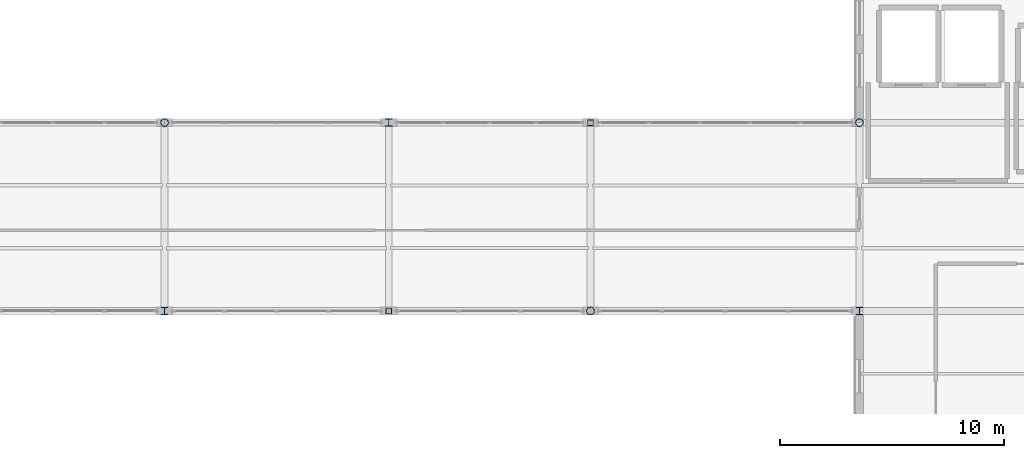
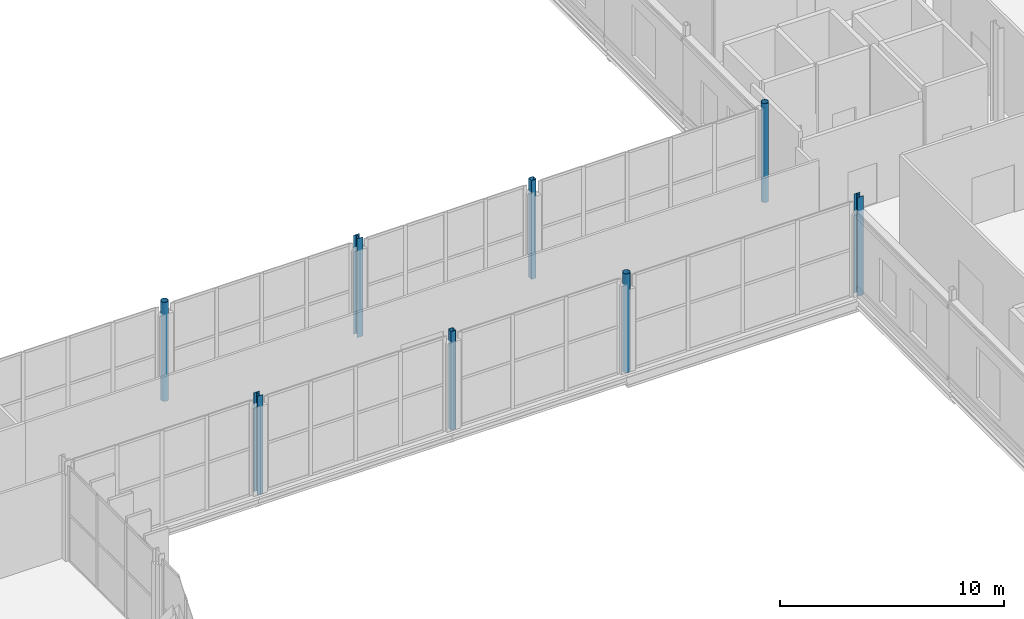
# One storey, part 18 of 147: 8 columns.
"""IFC4 building model written with IfcOpenShell, lengths in metres."""

from ifc_helpers import new_model, si_unit, direction, frame, origin, origin_2d, place, context, subcontext, project, spatial, hollow_rectangle, hollow_circle, i_section, extrude, material, material_profile, profile_set, type_object, element, save


model = new_model("IFC4")

# Units and contexts
model_context = context("Model", 3, precision=1e-05, world=origin(), true_north=direction((0.0, 1.0)))
body_context = subcontext(model_context, "Body", "Model", "MODEL_VIEW")
ifc_project = project(units=[si_unit("LENGTHUNIT", "METRE"), si_unit("AREAUNIT", "SQUARE_METRE"), si_unit("VOLUMEUNIT", "CUBIC_METRE"), si_unit("PLANEANGLEUNIT", "RADIAN"), si_unit("MASSUNIT", "GRAM", prefix="KILO")], contexts=[model_context])

# Site, building, storey
site_placement = place(None, origin())
site = spatial("IfcSite", under=ifc_project, at=site_placement, CompositionType="ELEMENT")
building_placement = place(site_placement, origin())
building = spatial("IfcBuilding", under=site, at=building_placement, Name="Vekula Escarpment Museum", CompositionType="ELEMENT")
storey_placement = place(building_placement, frame((0.0, 0.0, 7.800048828125)))
storey = spatial("IfcBuildingStorey", under=building, at=storey_placement, Name="L02", CompositionType="ELEMENT", Elevation=7.800048828125)

# Columns
ifc_material_1 = material(Name="Steel S355", Category="steel")
ifc_material_profile_1 = material_profile(ifc_material_1, hollow_circle(Radius=0.177734375, WallThickness=0.01611328125, at=origin_2d()), Name="CHS 355.6x16")
ifc_profile_set_1 = profile_set([ifc_material_profile_1], Name="Steel S355")
column_type_1 = type_object("IfcColumnType", Name="COL-S-CHS355", PredefinedType="COLUMN", material=ifc_profile_set_1)
for number, where, z_axis, x_axis, name in (
    (1, (136.0, 76.39990234375, 0.0), (0.0, 0.0, 1.0), (1.0, 0.0, 0.0), "Column L02 (136.0,76.4)"),
    (2, (155.0, 68.0, 0.0), (0.0, 0.0, 1.0), (1.0, 0.0, 0.0), "Column L02 (155.0,68.0)"),
    (3, (167.0, 76.39990234375, 0.0), (0.0, 0.0, 1.0), (1.0, 0.0, 0.0), "Column L02 (167.0,76.4)"),
):
    element("IfcColumn", number, at=place(storey_placement, frame(where, z_axis=z_axis, x_axis=x_axis)), inside=storey, type_object=column_type_1, Name=name, PredefinedType="COLUMN", context=body_context, shape_type="SweptSolid", body=[
        extrude(hollow_circle(Radius=0.177734375, WallThickness=0.01611328125, at=origin_2d()), origin(), (0.0, 0.0, 1.0), 5.39990234375),
    ])
ifc_material_2 = material(Name="Steel S355", Category="steel")
ifc_material_profile_2 = material_profile(ifc_material_2, i_section(OverallWidth=0.300048828125, OverallDepth=0.330078125, WebThickness=0.009521484375, FlangeThickness=0.0166015625, FilletRadius=0.027099609375, at=origin_2d()), Name="HEA 340")
ifc_profile_set_2 = profile_set([ifc_material_profile_2], Name="Steel S355")
column_type_2 = type_object("IfcColumnType", Name="COL-S-HEA340", PredefinedType="COLUMN", material=ifc_profile_set_2)
for number, where, z_axis, x_axis, name in (
    (4, (136.0, 68.0, 0.0), (0.0, 0.0, 1.0), (1.0, 0.0, 0.0), "Column L02 (136.0,68.0)"),
    (5, (146.0, 76.39990234375, 0.0), (0.0, 0.0, 1.0), (1.0, 0.0, 0.0), "Column L02 (146.0,76.4)"),
    (6, (167.0, 68.0, 0.0), (0.0, 0.0, 1.0), (1.0, 0.0, 0.0), "Column L02 (167.0,68.0)"),
):
    element("IfcColumn", number, at=place(storey_placement, frame(where, z_axis=z_axis, x_axis=x_axis)), inside=storey, type_object=column_type_2, Name=name, PredefinedType="COLUMN", context=body_context, shape_type="SweptSolid", body=[
        extrude(i_section(OverallWidth=0.300048828125, OverallDepth=0.330078125, WebThickness=0.009521484375, FlangeThickness=0.0166015625, FilletRadius=0.027099609375, at=origin_2d()), origin(), (0.0, 0.0, 1.0), 5.39990234375),
    ])
ifc_material_3 = material(Name="Steel S355", Category="steel")
ifc_material_profile_3 = material_profile(ifc_material_3, hollow_rectangle(XDim=0.260009765625, YDim=0.260009765625, WallThickness=0.012451171875, InnerFilletRadius=0.012451171875, OuterFilletRadius=0.02490234375, at=origin_2d()), Name="SHS 260x260x12.5")
ifc_profile_set_3 = profile_set([ifc_material_profile_3], Name="Steel S355")
column_type_3 = type_object("IfcColumnType", Name="COL-S-SHS260", PredefinedType="COLUMN", material=ifc_profile_set_3)
for number, where, z_axis, x_axis, name in (
    (7, (146.0, 68.0, 0.0), (0.0, 0.0, 1.0), (1.0, 0.0, 0.0), "Column L02 (146.0,68.0)"),
    (8, (155.0, 76.39990234375, 0.0), (0.0, 0.0, 1.0), (1.0, 0.0, 0.0), "Column L02 (155.0,76.4)"),
):
    element("IfcColumn", number, at=place(storey_placement, frame(where, z_axis=z_axis, x_axis=x_axis)), inside=storey, type_object=column_type_3, Name=name, PredefinedType="COLUMN", context=body_context, shape_type="SweptSolid", body=[
        extrude(hollow_rectangle(XDim=0.260009765625, YDim=0.260009765625, WallThickness=0.012451171875, InnerFilletRadius=0.012451171875, OuterFilletRadius=0.02490234375, at=origin_2d()), origin(), (0.0, 0.0, 1.0), 5.39990234375),
    ])

save(model, "model.ifc")
